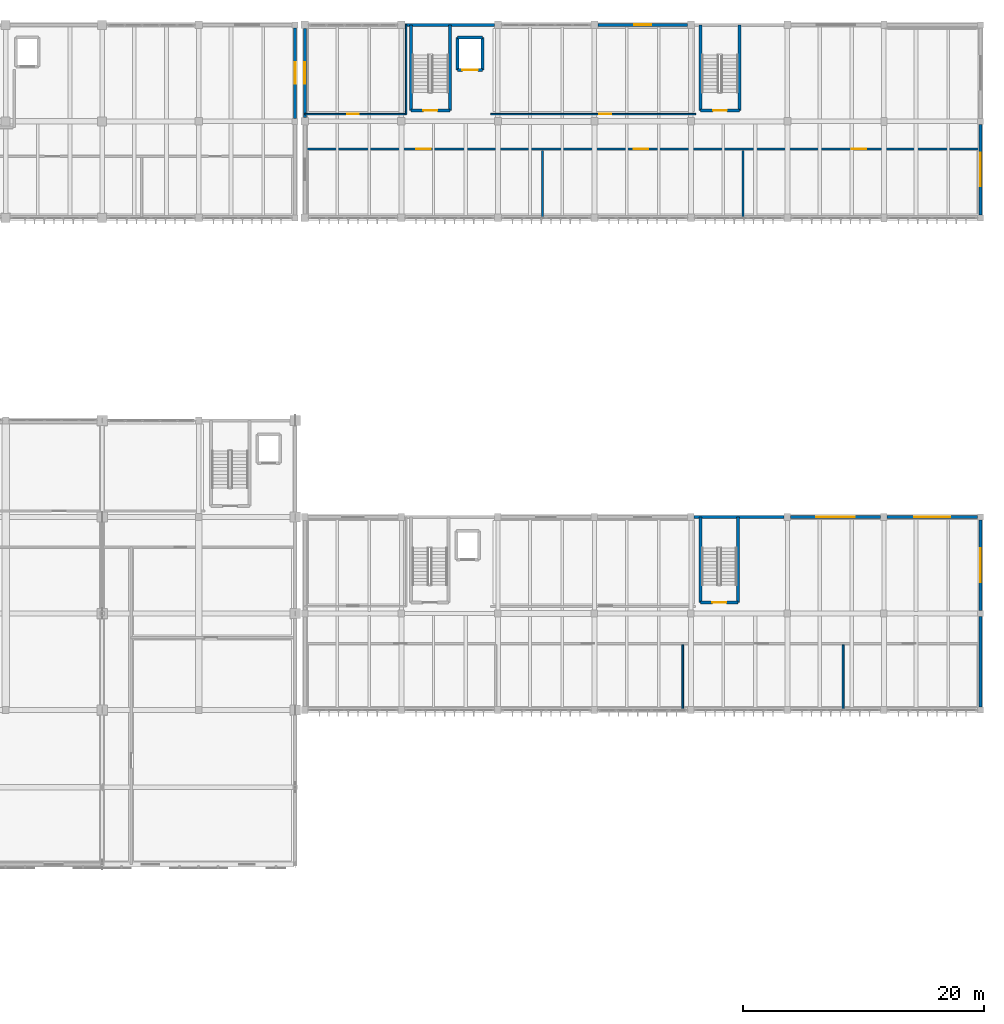
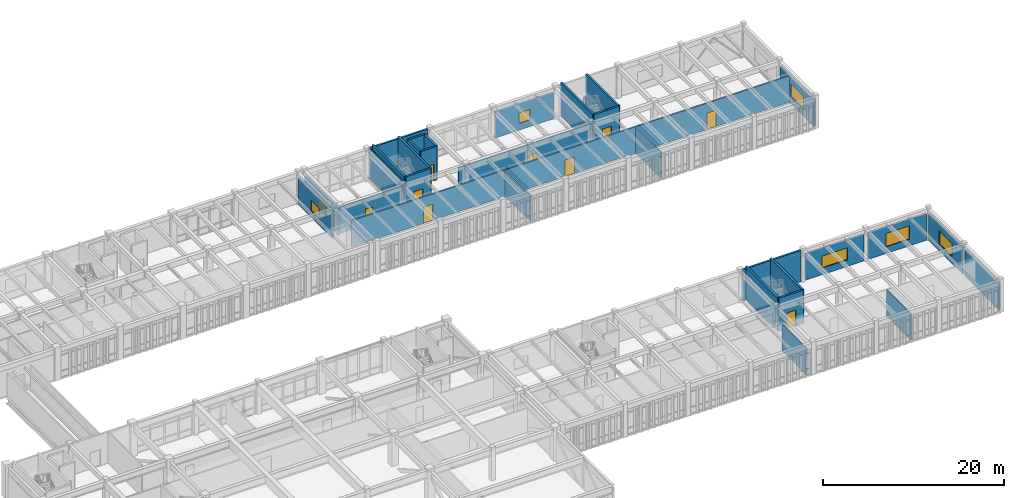
# One storey, part 61 of 79: 31 walls, 9 doors, 7 windows, 16 openings.
"""IFC4 building model written with IfcOpenShell, lengths in metres."""

from ifc_helpers import new_model, si_unit, direction, frame, frame_2d, origin, place, context, subcontext, project, spatial, rectangle, extrude, material, layer, layer_set, type_object, element, fill, save


model = new_model("IFC4")

# Units and contexts
model_context = context("Model", 3, precision=1e-05, world=origin(), true_north=direction((0.0, 1.0)))
body_context = subcontext(model_context, "Body", "Model", "MODEL_VIEW")
ifc_project = project(units=[si_unit("LENGTHUNIT", "METRE"), si_unit("AREAUNIT", "SQUARE_METRE"), si_unit("VOLUMEUNIT", "CUBIC_METRE"), si_unit("PLANEANGLEUNIT", "RADIAN"), si_unit("MASSUNIT", "GRAM", prefix="KILO")], contexts=[model_context])

# Site, building, storey
site_placement = place(None, origin())
site = spatial("IfcSite", under=ifc_project, at=site_placement, CompositionType="ELEMENT")
building_placement = place(site_placement, origin())
building = spatial("IfcBuilding", under=site, at=building_placement, Name="Tlaxcora Railside Police Headquarters", CompositionType="ELEMENT")
storey_placement = place(building_placement, frame((0.0, 0.0, 9.0)))
storey = spatial("IfcBuildingStorey", under=building, at=storey_placement, Name="L02", CompositionType="ELEMENT", Elevation=9.0)

# Walls
ifc_material_1 = material(Name="Gypsum acoustic partition board")
ifc_layer_1 = layer(ifc_material_1, 0.175048828125, Name="Gypsum acoustic partition board")
ifc_layer_set_1 = layer_set([ifc_layer_1], Name="Gypsum acoustic partition board")
wall_type_1 = type_object("IfcWallType", Name="Interior Partition Wall IW-22", PredefinedType="PARTITIONING", material=ifc_layer_set_1)
for number, where, z_axis, x_axis, name in (
    (1, (122.489990234375, 76.8798828125, 0.0), (0.0, 0.0, 1.0), (0.0, 1.0, 0.0), "V6 L02 interior partition 146"),
    (2, (139.110107421875, 76.8798828125, 0.0), (0.0, 0.0, 1.0), (0.0, 1.0, 0.0), "V6 L02 interior partition 147"),
):
    element("IfcWall", number, at=place(storey_placement, frame(where, z_axis=z_axis, x_axis=x_axis)), inside=storey, type_object=wall_type_1, Name=name, PredefinedType="PARTITIONING", context=body_context, shape_type="SweptSolid", body=[
        extrude(rectangle(XDim=5.52001953125, YDim=0.175048828125, at=frame_2d((2.760009765625, 0.0))), origin(), (0.0, 0.0, 1.0), 3.554931640625),
    ])

# Wall, openings, doors
wall_1_placement = place(storey_placement, frame((102.8798828125, 82.5, 0.0), z_axis=(0.0, 0.0, 1.0), x_axis=(1.0, 0.0, 0.0)))
wall_1 = element("IfcWall", 3, at=wall_1_placement, inside=storey, type_object=wall_type_1, Name="V6 L02 interior partition 148", PredefinedType="PARTITIONING", context=body_context, shape_type="SweptSolid", body=[
    extrude(rectangle(XDim=55.840087890625, YDim=0.175048828125, at=frame_2d((27.919921875, 0.0))), origin(), (0.0, 0.0, 1.0), 3.554931640625),
])
opening_1_placement = place(wall_1_placement, frame((9.14990234375, 0.0, 0.0)))
opening_1 = element("IfcOpeningElement", 4, at=opening_1_placement, cuts=wall_1, Name="Opening D-L02-181", PredefinedType="OPENING", context=body_context, shape_type="SweptSolid", body=[
    extrude(rectangle(XDim=1.199951171875, YDim=2.199951171875, at=frame_2d((0.60009765625, 1.10009765625))), frame((0.0, 0.09765625, 0.0), z_axis=(0.0, -1.0, 0.0), x_axis=(1.0, 0.0, 0.0)), (0.0, 0.0, 1.0), 0.195068359375),
])
opening_2_placement = place(wall_1_placement, frame((27.199951171875, 0.0, 0.0)))
opening_2 = element("IfcOpeningElement", 5, at=opening_2_placement, cuts=wall_1, Name="Opening D-L02-182", PredefinedType="OPENING", context=body_context, shape_type="SweptSolid", body=[
    extrude(rectangle(XDim=1.199951171875, YDim=2.199951171875, at=frame_2d((0.60009765625, 1.10009765625))), frame((0.0, 0.09765625, 0.0), z_axis=(0.0, -1.0, 0.0), x_axis=(1.0, 0.0, 0.0)), (0.0, 0.0, 1.0), 0.195068359375),
])
opening_3_placement = place(wall_1_placement, frame((45.239990234375, 0.0, 0.0)))
opening_3 = element("IfcOpeningElement", 6, at=opening_3_placement, cuts=wall_1, Name="Opening D-L02-183", PredefinedType="OPENING", context=body_context, shape_type="SweptSolid", body=[
    extrude(rectangle(XDim=1.199951171875, YDim=2.199951171875, at=frame_2d((0.60009765625, 1.10009765625))), frame((0.0, 0.09765625, 0.0), z_axis=(0.0, -1.0, 0.0), x_axis=(1.0, 0.0, 0.0)), (0.0, 0.0, 1.0), 0.195068359375),
])
ifc_material_2 = material(Name="Steel ASTM A992 Grade 50", Category="steel")
door_type_1 = type_object("IfcDoorType", Name="Swing or Sliding Personnel Door ID-65", OperationType="NOTDEFINED", PredefinedType="DOOR", material=ifc_material_2)
door_1_placement = place(opening_1_placement, origin())
door_1 = element("IfcDoor", 7, at=door_1_placement, inside=storey, type_object=door_type_1, Name="V6 L02 door D-L02-181", OperationType="DOUBLE_DOOR_SINGLE_SWING", OverallHeight=2.199951171875, OverallWidth=1.199951171875, PredefinedType="DOOR", context=body_context, shape_type="SweptSolid", body=[
    extrude(rectangle(XDim=1.199951171875, YDim=2.199951171875, at=frame_2d((0.60009765625, 1.10009765625))), frame((0.0, 0.02490234375, 0.0), z_axis=(0.0, -1.0, 0.0), x_axis=(1.0, 0.0, 0.0)), (0.0, 0.0, 1.0), 0.050048828125),
])
fill(opening_1, door_1)
door_2_placement = place(opening_2_placement, origin())
door_2 = element("IfcDoor", 8, at=door_2_placement, inside=storey, type_object=door_type_1, Name="V6 L02 door D-L02-182", OperationType="DOUBLE_DOOR_SINGLE_SWING", OverallHeight=2.199951171875, OverallWidth=1.199951171875, PredefinedType="DOOR", context=body_context, shape_type="SweptSolid", body=[
    extrude(rectangle(XDim=1.199951171875, YDim=2.199951171875, at=frame_2d((0.60009765625, 1.10009765625))), frame((0.0, 0.02490234375, 0.0), z_axis=(0.0, -1.0, 0.0), x_axis=(1.0, 0.0, 0.0)), (0.0, 0.0, 1.0), 0.050048828125),
])
fill(opening_2, door_2)
door_3_placement = place(opening_3_placement, origin())
door_3 = element("IfcDoor", 9, at=door_3_placement, inside=storey, type_object=door_type_1, Name="V6 L02 door D-L02-183", OperationType="DOUBLE_DOOR_SINGLE_SWING", OverallHeight=2.199951171875, OverallWidth=1.199951171875, PredefinedType="DOOR", context=body_context, shape_type="SweptSolid", body=[
    extrude(rectangle(XDim=1.199951171875, YDim=2.199951171875, at=frame_2d((0.60009765625, 1.10009765625))), frame((0.0, 0.02490234375, 0.0), z_axis=(0.0, -1.0, 0.0), x_axis=(1.0, 0.0, 0.0)), (0.0, 0.0, 1.0), 0.050048828125),
])
fill(opening_3, door_3)

# Wall
ifc_layer_2 = layer(ifc_material_1, 0.1201171875, Name="Gypsum acoustic partition board")
ifc_layer_set_2 = layer_set([ifc_layer_2], Name="Gypsum acoustic partition board")
wall_type_2 = type_object("IfcWallType", Name="Interior Partition Wall IW-37", PredefinedType="PARTITIONING", material=ifc_layer_set_2)
wall_2_placement = place(storey_placement, frame((111.199951171875, 85.39990234375, 0.0), z_axis=(0.0, 0.0, 1.0), x_axis=(0.0, 1.0, 0.0)))
element("IfcWall", 10, at=wall_2_placement, inside=storey, type_object=wall_type_2, Name="V6 L02 interior partition 150", PredefinedType="PARTITIONING", context=body_context, shape_type="SweptSolid", body=[
    extrude(rectangle(XDim=7.400146484375, YDim=0.1201171875, at=frame_2d((3.7001953125, 0.0))), origin(), (0.0, 0.0, 1.0), 4.219970703125),
])

# Wall, opening, door
ifc_layer_3 = layer(ifc_material_1, 0.1298828125, Name="Gypsum acoustic partition board")
ifc_layer_set_3 = layer_set([ifc_layer_3], Name="Gypsum acoustic partition board")
wall_type_3 = type_object("IfcWallType", Name="Interior Partition Wall IW-40", PredefinedType="PARTITIONING", material=ifc_layer_set_3)
wall_3_placement = place(storey_placement, frame((102.800048828125, 85.39990234375, 0.0), z_axis=(0.0, 0.0, 1.0), x_axis=(1.0, 0.0, 0.0)))
wall_3 = element("IfcWall", 11, at=wall_3_placement, inside=storey, type_object=wall_type_3, Name="V6 L02 interior partition 149", PredefinedType="PARTITIONING", context=body_context, shape_type="SweptSolid", body=[
    extrude(rectangle(XDim=8.39990234375, YDim=0.1298828125, at=frame_2d((4.199951171875, 0.0))), origin(), (0.0, 0.0, 1.0), 3.554931640625),
])
opening_4_placement = place(wall_3_placement, frame((3.5, 0.0, 0.0)))
opening_4 = element("IfcOpeningElement", 12, at=opening_4_placement, cuts=wall_3, Name="Opening D-L02-184", PredefinedType="OPENING", context=body_context, shape_type="SweptSolid", body=[
    extrude(rectangle(XDim=0.949951171875, YDim=2.14990234375, at=frame_2d((0.47509765625, 1.074951171875))), frame((0.0, 0.074951171875, 0.0), z_axis=(0.0, -1.0, 0.0), x_axis=(1.0, 0.0, 0.0)), (0.0, 0.0, 1.0), 0.14990234375),
])
door_type_2 = type_object("IfcDoorType", Name="Swing or Sliding Personnel Door ID-31", OperationType="NOTDEFINED", PredefinedType="DOOR", material=ifc_material_2)
door_4_placement = place(opening_4_placement, origin())
door_4 = element("IfcDoor", 13, at=door_4_placement, inside=storey, type_object=door_type_2, Name="V6 L02 door D-L02-184", OperationType="SINGLE_SWING_LEFT", OverallHeight=2.14990234375, OverallWidth=0.949951171875, PredefinedType="DOOR", context=body_context, shape_type="SweptSolid", body=[
    extrude(rectangle(XDim=0.949951171875, YDim=2.14990234375, at=frame_2d((0.47509765625, 1.074951171875))), frame((0.0, 0.02490234375, 0.0), z_axis=(0.0, -1.0, 0.0), x_axis=(1.0, 0.0, 0.0)), (0.0, 0.0, 1.0), 0.050048828125),
])
fill(opening_4, door_4)

# Walls
ifc_layer_4 = layer(ifc_material_1, 0.159912109375, Name="Gypsum acoustic partition board")
ifc_layer_set_4 = layer_set([ifc_layer_4], Name="Gypsum acoustic partition board")
wall_type_4 = type_object("IfcWallType", Name="Interior Partition Wall IW-73", PredefinedType="PARTITIONING", material=ifc_layer_set_4)
for number, where, z_axis, x_axis, name in (
    (14, (134.1240234375, 36.080078125, 0.0), (0.0, 0.0, 1.0), (0.0, 1.0, 0.0), "V7 L02 interior partition 140"),
    (15, (147.419921875, 36.080078125, 0.0), (0.0, 0.0, 1.0), (0.0, 1.0, 0.0), "V7 L02 interior partition 141"),
):
    element("IfcWall", number, at=place(storey_placement, frame(where, z_axis=z_axis, x_axis=x_axis)), inside=storey, type_object=wall_type_4, Name=name, PredefinedType="PARTITIONING", context=body_context, shape_type="SweptSolid", body=[
        extrude(rectangle(XDim=5.31982421875, YDim=0.159912109375, at=frame_2d((2.659912109375, 0.0))), origin(), (0.0, 0.0, 1.0), 3.554931640625),
    ])

# Wall, opening, door
ifc_layer_5 = layer(ifc_material_1, 0.114990234375, Name="Gypsum acoustic partition board")
ifc_layer_set_5 = layer_set([ifc_layer_5], Name="Gypsum acoustic partition board")
wall_type_5 = type_object("IfcWallType", Name="Interior Partition Wall IW-87", PredefinedType="PARTITIONING", material=ifc_layer_set_5)
wall_4_placement = place(storey_placement, frame((118.199951171875, 85.39990234375, 0.0), z_axis=(0.0, 0.0, 1.0), x_axis=(1.0, 0.0, 0.0)))
wall_4 = element("IfcWall", 16, at=wall_4_placement, inside=storey, type_object=wall_type_5, Name="V6 L02 interior partition 151", PredefinedType="PARTITIONING", context=body_context, shape_type="SweptSolid", body=[
    extrude(rectangle(XDim=17.0, YDim=0.114990234375, at=frame_2d((8.5, 0.0))), origin(), (0.0, 0.0, 1.0), 3.60498046875),
])
opening_5_placement = place(wall_4_placement, frame((9.0, 0.0, 0.0)))
opening_5 = element("IfcOpeningElement", 17, at=opening_5_placement, cuts=wall_4, Name="Opening D-L02-185", PredefinedType="OPENING", context=body_context, shape_type="SweptSolid", body=[
    extrude(rectangle(XDim=1.0, YDim=2.10009765625, at=frame_2d((0.5, 1.050048828125))), frame((0.0, 0.0673828125, 0.0), z_axis=(0.0, -1.0, 0.0), x_axis=(1.0, 0.0, 0.0)), (0.0, 0.0, 1.0), 0.135009765625),
])
door_type_3 = type_object("IfcDoorType", Name="Swing or Sliding Personnel Door ID-89", OperationType="NOTDEFINED", PredefinedType="DOOR", material=ifc_material_2)
door_5_placement = place(opening_5_placement, origin())
door_5 = element("IfcDoor", 18, at=door_5_placement, inside=storey, type_object=door_type_3, Name="V6 L02 door D-L02-185", OperationType="SINGLE_SWING_RIGHT", OverallHeight=2.10009765625, OverallWidth=1.0, PredefinedType="DOOR", context=body_context, shape_type="SweptSolid", body=[
    extrude(rectangle(XDim=1.0, YDim=2.10009765625, at=frame_2d((0.5, 1.050048828125))), frame((0.0, 0.02490234375, 0.0), z_axis=(0.0, -1.0, 0.0), x_axis=(1.0, 0.0, 0.0)), (0.0, 0.0, 1.0), 0.050048828125),
])
fill(opening_5, door_5)

ifc_material_3 = material(Name="Concrete C40/50", Category="concrete")
ifc_layer_6 = layer(ifc_material_3, 0.25, Name="Concrete C40/50")
ifc_layer_set_6 = layer_set([ifc_layer_6], Name="Concrete C40/50")
wall_type_6 = type_object("IfcWallType", Name="Shear Core Wall IW-13", PredefinedType="SHEAR", material=ifc_layer_set_6)
wall_5_placement = place(storey_placement, frame((111.60009765625, 85.699951171875, 0.0), z_axis=(0.0, 0.0, 1.0), x_axis=(1.0, 0.0, 0.0)))
wall_5 = element("IfcWall", 19, at=wall_5_placement, inside=storey, type_object=wall_type_6, Name="CORE-C3 L02 stair core wall S", PredefinedType="SHEAR", context=body_context, shape_type="SweptSolid", body=[
    extrude(rectangle(XDim=3.219970703125, YDim=0.25, at=frame_2d((1.60986328125, 0.0))), origin(), (0.0, 0.0, 1.0), 4.5),
])
opening_6_placement = place(wall_5_placement, frame((1.034912109375, 0.0, 0.0)))
opening_6 = element("IfcOpeningElement", 20, at=opening_6_placement, cuts=wall_5, Name="Opening SD-L02-022", PredefinedType="OPENING", context=body_context, shape_type="SweptSolid", body=[
    extrude(rectangle(XDim=1.14990234375, YDim=2.14990234375, at=frame_2d((0.574951171875, 1.074951171875))), frame((0.0, 0.135009765625, 0.0), z_axis=(0.0, -1.0, 0.0), x_axis=(1.0, 0.0, 0.0)), (0.0, 0.0, 1.0), 0.27001953125),
])
door_type_4 = type_object("IfcDoorType", Name="Swing or Sliding Personnel Door ID-73", OperationType="NOTDEFINED", PredefinedType="DOOR", material=ifc_material_2)
door_6_placement = place(opening_6_placement, origin())
door_6 = element("IfcDoor", 21, at=door_6_placement, inside=storey, type_object=door_type_4, Name="Stair ST3 L02 enclosure fire door", OperationType="SINGLE_SWING_RIGHT", OverallHeight=2.14990234375, OverallWidth=1.14990234375, PredefinedType="DOOR", context=body_context, shape_type="SweptSolid", body=[
    extrude(rectangle(XDim=1.14990234375, YDim=2.14990234375, at=frame_2d((0.574951171875, 1.074951171875))), frame((0.0, 0.02490234375, 0.0), z_axis=(0.0, -1.0, 0.0), x_axis=(1.0, 0.0, 0.0)), (0.0, 0.0, 1.0), 0.050048828125),
])
fill(opening_6, door_6)

# Walls
for number, where, z_axis, x_axis, name in (
    (22, (114.820068359375, 85.699951171875, 0.0), (0.0, 0.0, 1.0), (0.0, 1.0, 0.0), "CORE-C3 L02 stair core wall E"),
    (23, (111.60009765625, 92.800048828125, 0.0), (0.0, 0.0, 1.0), (0.0, -1.0, 0.0), "CORE-C3 L02 stair core wall W"),
):
    element("IfcWall", number, at=place(storey_placement, frame(where, z_axis=z_axis, x_axis=x_axis)), inside=storey, type_object=wall_type_6, Name=name, PredefinedType="SHEAR", context=body_context, shape_type="SweptSolid", body=[
        extrude(rectangle(XDim=7.10009765625, YDim=0.25, at=frame_2d((3.550048828125, 0.0))), origin(), (0.0, 0.0, 1.0), 4.5),
    ])

# Wall, opening, door
wall_6_placement = place(storey_placement, frame((115.4599609375, 89.06005859375, 0.0), z_axis=(0.0, 0.0, 1.0), x_axis=(1.0, 0.0, 0.0)))
wall_6 = element("IfcWall", 24, at=wall_6_placement, inside=storey, type_object=wall_type_6, Name="Lift GL-01 L02 shaft wall S", PredefinedType="SHEAR", context=body_context, shape_type="SweptSolid", body=[
    extrude(rectangle(XDim=2.080078125, YDim=0.25, at=frame_2d((1.0400390625, 0.0))), origin(), (0.0, 0.0, 1.0), 4.5),
])
opening_7_placement = place(wall_6_placement, frame((0.389892578125, 0.0, 0.0)))
opening_7 = element("IfcOpeningElement", 25, at=opening_7_placement, cuts=wall_6, Name="Opening LD-GL-01-L02", PredefinedType="OPENING", context=body_context, shape_type="SweptSolid", body=[
    extrude(rectangle(XDim=1.300048828125, YDim=2.25, at=frame_2d((0.64990234375, 1.125))), frame((0.0, 0.135009765625, 0.0), z_axis=(0.0, -1.0, 0.0), x_axis=(1.0, 0.0, 0.0)), (0.0, 0.0, 1.0), 0.27001953125),
])
door_type_5 = type_object("IfcDoorType", Name="Swing or Sliding Personnel Door ID-72", OperationType="NOTDEFINED", PredefinedType="DOOR", material=ifc_material_2)
door_7_placement = place(opening_7_placement, origin())
door_7 = element("IfcDoor", 26, at=door_7_placement, inside=storey, type_object=door_type_5, Name="Lift GL-01 L02 sliding landing door", OperationType="DOUBLE_DOOR_SLIDING", OverallHeight=2.25, OverallWidth=1.300048828125, PredefinedType="DOOR", context=body_context, shape_type="SweptSolid", body=[
    extrude(rectangle(XDim=1.300048828125, YDim=2.25, at=frame_2d((0.64990234375, 1.125))), frame((0.0, 0.02490234375, 0.0), z_axis=(0.0, -1.0, 0.0), x_axis=(1.0, 0.0, 0.0)), (0.0, 0.0, 1.0), 0.050048828125),
])
fill(opening_7, door_7)

# Walls
wall_7_placement = place(storey_placement, frame((117.5400390625, 89.06005859375, 0.0), z_axis=(0.0, 0.0, 1.0), x_axis=(0.0, 1.0, 0.0)))
element("IfcWall", 27, at=wall_7_placement, inside=storey, type_object=wall_type_6, Name="Lift GL-01 L02 shaft wall E", PredefinedType="SHEAR", context=body_context, shape_type="SweptSolid", body=[
    extrude(rectangle(XDim=2.679931640625, YDim=0.25, at=frame_2d((1.33984375, 0.0))), origin(), (0.0, 0.0, 1.0), 4.5),
])
wall_8_placement = place(storey_placement, frame((117.5400390625, 91.739990234375, 0.0), z_axis=(0.0, 0.0, 1.0), x_axis=(-1.0, 0.0, 0.0)))
element("IfcWall", 28, at=wall_8_placement, inside=storey, type_object=wall_type_6, Name="Lift GL-01 L02 shaft wall N", PredefinedType="SHEAR", context=body_context, shape_type="SweptSolid", body=[
    extrude(rectangle(XDim=2.080078125, YDim=0.25, at=frame_2d((1.0400390625, 0.0))), origin(), (0.0, 0.0, 1.0), 4.5),
])
wall_9_placement = place(storey_placement, frame((115.4599609375, 91.739990234375, 0.0), z_axis=(0.0, 0.0, 1.0), x_axis=(0.0, -1.0, 0.0)))
element("IfcWall", 29, at=wall_9_placement, inside=storey, type_object=wall_type_6, Name="Lift GL-01 L02 shaft wall W", PredefinedType="SHEAR", context=body_context, shape_type="SweptSolid", body=[
    extrude(rectangle(XDim=2.679931640625, YDim=0.25, at=frame_2d((1.33984375, 0.0))), origin(), (0.0, 0.0, 1.0), 4.5),
])

# Wall, opening, door
wall_10_placement = place(storey_placement, frame((135.60009765625, 85.699951171875, 0.0), z_axis=(0.0, 0.0, 1.0), x_axis=(1.0, 0.0, 0.0)))
wall_10 = element("IfcWall", 30, at=wall_10_placement, inside=storey, type_object=wall_type_6, Name="CORE-C3B L02 stair core wall S", PredefinedType="SHEAR", context=body_context, shape_type="SweptSolid", body=[
    extrude(rectangle(XDim=3.219970703125, YDim=0.25, at=frame_2d((1.60986328125, 0.0))), origin(), (0.0, 0.0, 1.0), 4.5),
])
opening_8_placement = place(wall_10_placement, frame((1.034912109375, 0.0, 0.0)))
opening_8 = element("IfcOpeningElement", 31, at=opening_8_placement, cuts=wall_10, Name="Opening SD-L02-028", PredefinedType="OPENING", context=body_context, shape_type="SweptSolid", body=[
    extrude(rectangle(XDim=1.14990234375, YDim=2.14990234375, at=frame_2d((0.574951171875, 1.074951171875))), frame((0.0, 0.135009765625, 0.0), z_axis=(0.0, -1.0, 0.0), x_axis=(1.0, 0.0, 0.0)), (0.0, 0.0, 1.0), 0.27001953125),
])
door_8_placement = place(opening_8_placement, origin())
door_8 = element("IfcDoor", 32, at=door_8_placement, inside=storey, type_object=door_type_4, Name="Stair ST8 L02 enclosure fire door", OperationType="SINGLE_SWING_RIGHT", OverallHeight=2.14990234375, OverallWidth=1.14990234375, PredefinedType="DOOR", context=body_context, shape_type="SweptSolid", body=[
    extrude(rectangle(XDim=1.14990234375, YDim=2.14990234375, at=frame_2d((0.574951171875, 1.074951171875))), frame((0.0, 0.02490234375, 0.0), z_axis=(0.0, -1.0, 0.0), x_axis=(1.0, 0.0, 0.0)), (0.0, 0.0, 1.0), 0.050048828125),
])
fill(opening_8, door_8)

# Walls
for number, where, z_axis, x_axis, name in (
    (33, (138.820068359375, 85.699951171875, 0.0), (0.0, 0.0, 1.0), (0.0, 1.0, 0.0), "CORE-C3B L02 stair core wall E"),
    (34, (135.60009765625, 92.800048828125, 0.0), (0.0, 0.0, 1.0), (0.0, -1.0, 0.0), "CORE-C3B L02 stair core wall W"),
):
    element("IfcWall", number, at=place(storey_placement, frame(where, z_axis=z_axis, x_axis=x_axis)), inside=storey, type_object=wall_type_6, Name=name, PredefinedType="SHEAR", context=body_context, shape_type="SweptSolid", body=[
        extrude(rectangle(XDim=7.10009765625, YDim=0.25, at=frame_2d((3.550048828125, 0.0))), origin(), (0.0, 0.0, 1.0), 4.5),
    ])

# Wall, opening, door
wall_11_placement = place(storey_placement, frame((135.60009765625, 44.89990234375, 0.0), z_axis=(0.0, 0.0, 1.0), x_axis=(1.0, 0.0, 0.0)))
wall_11 = element("IfcWall", 35, at=wall_11_placement, inside=storey, type_object=wall_type_6, Name="CORE-C7B L02 stair core wall S", PredefinedType="SHEAR", context=body_context, shape_type="SweptSolid", body=[
    extrude(rectangle(XDim=3.119873046875, YDim=0.25, at=frame_2d((1.56005859375, 0.0))), origin(), (0.0, 0.0, 1.0), 4.5),
])
opening_9_placement = place(wall_11_placement, frame((0.985107421875, 0.0, 0.0)))
opening_9 = element("IfcOpeningElement", 36, at=opening_9_placement, cuts=wall_11, Name="Opening SD-L02-053", PredefinedType="OPENING", context=body_context, shape_type="SweptSolid", body=[
    extrude(rectangle(XDim=1.14990234375, YDim=2.14990234375, at=frame_2d((0.574951171875, 1.074951171875))), frame((0.0, 0.135009765625, 0.0), z_axis=(0.0, -1.0, 0.0), x_axis=(1.0, 0.0, 0.0)), (0.0, 0.0, 1.0), 0.27001953125),
])
door_9_placement = place(opening_9_placement, origin())
door_9 = element("IfcDoor", 37, at=door_9_placement, inside=storey, type_object=door_type_4, Name="Stair ST11 L02 enclosure fire door", OperationType="SINGLE_SWING_LEFT", OverallHeight=2.14990234375, OverallWidth=1.14990234375, PredefinedType="DOOR", context=body_context, shape_type="SweptSolid", body=[
    extrude(rectangle(XDim=1.14990234375, YDim=2.14990234375, at=frame_2d((0.574951171875, 1.074951171875))), frame((0.0, 0.02490234375, 0.0), z_axis=(0.0, -1.0, 0.0), x_axis=(1.0, 0.0, 0.0)), (0.0, 0.0, 1.0), 0.050048828125),
])
fill(opening_9, door_9)

# Walls
for number, where, z_axis, x_axis, name in (
    (38, (138.719970703125, 44.89990234375, 0.0), (0.0, 0.0, 1.0), (0.0, 1.0, 0.0), "CORE-C7B L02 stair core wall E"),
    (39, (135.60009765625, 52.0, 0.0), (0.0, 0.0, 1.0), (0.0, -1.0, 0.0), "CORE-C7B L02 stair core wall W"),
):
    element("IfcWall", number, at=place(storey_placement, frame(where, z_axis=z_axis, x_axis=x_axis)), inside=storey, type_object=wall_type_6, Name=name, PredefinedType="SHEAR", context=body_context, shape_type="SweptSolid", body=[
        extrude(rectangle(XDim=7.10009765625, YDim=0.25, at=frame_2d((3.550048828125, 0.0))), origin(), (0.0, 0.0, 1.0), 4.5),
    ])

# Wall, opening, window
ifc_material_4 = material(Name="Precast concrete C40/50", Category="concrete")
ifc_layer_7 = layer(ifc_material_4, 0.2451171875, Name="Precast concrete C40/50")
ifc_layer_set_7 = layer_set([ifc_layer_7], Name="Precast concrete C40/50")
wall_type_7 = type_object("IfcWallType", Name="Structural Bearing Wall EW-94", PredefinedType="SOLIDWALL", material=ifc_layer_set_7)
wall_12_placement = place(storey_placement, frame((102.0, 85.050048828125, 0.0), z_axis=(0.0, 0.0, 1.0), x_axis=(0.0, 1.0, 0.0)))
wall_12 = element("IfcWall", 40, at=wall_12_placement, inside=storey, type_object=wall_type_7, Name="V5 L02 exterior wall 3.1", PredefinedType="SOLIDWALL", context=body_context, shape_type="SweptSolid", body=[
    extrude(rectangle(XDim=7.5, YDim=0.2451171875, at=frame_2d((3.75, 0.0))), origin(), (0.0, 0.0, 1.0), 3.570068359375),
])
opening_10_placement = place(wall_12_placement, frame((2.85009765625, 0.0, 0.89990234375)))
opening_10 = element("IfcOpeningElement", 41, at=opening_10_placement, cuts=wall_12, Name="Opening WN-70", PredefinedType="OPENING", context=body_context, shape_type="SweptSolid", body=[
    extrude(rectangle(XDim=1.800048828125, YDim=1.39990234375, at=frame_2d((0.89990234375, 0.699951171875))), frame((0.0, 0.132568359375, 0.0), z_axis=(0.0, -1.0, 0.0), x_axis=(1.0, 0.0, 0.0)), (0.0, 0.0, 1.0), 0.26513671875),
])
ifc_material_5 = material(Name="Thermally broken low-E insulated glazing", Category="glass")
window_type_1 = type_object("IfcWindowType", Name="Exterior Framed or Circular Window WN-70", PartitioningType="SINGLE_PANEL", PredefinedType="WINDOW", material=ifc_material_5)
window_1_placement = place(opening_10_placement, origin())
window_1 = element("IfcWindow", 42, at=window_1_placement, inside=storey, type_object=window_type_1, Name="V5 L02 window 127", OverallHeight=1.39990234375, OverallWidth=1.800048828125, PartitioningType="SINGLE_PANEL", PredefinedType="WINDOW", context=body_context, shape_type="SweptSolid", body=[
    extrude(rectangle(XDim=1.800048828125, YDim=1.39990234375, at=frame_2d((0.89990234375, 0.699951171875))), frame((0.0, 0.030029296875, 0.0), z_axis=(0.0, -1.0, 0.0), x_axis=(1.0, 0.0, 0.0)), (0.0, 0.0, 1.0), 0.06005859375),
])
fill(opening_10, window_1)

wall_13_placement = place(storey_placement, frame((158.800048828125, 77.050048828125, 0.0), z_axis=(0.0, 0.0, 1.0), x_axis=(0.0, 1.0, 0.0)))
wall_13 = element("IfcWall", 43, at=wall_13_placement, inside=storey, type_object=wall_type_7, Name="V6 L02 exterior wall 1.0", PredefinedType="SOLIDWALL", context=body_context, shape_type="SweptSolid", body=[
    extrude(rectangle(XDim=7.5, YDim=0.2451171875, at=frame_2d((3.75, 0.0))), origin(), (0.0, 0.0, 1.0), 3.570068359375),
])
opening_11_placement = place(wall_13_placement, frame((2.35009765625, 0.0, 0.89990234375)))
opening_11 = element("IfcOpeningElement", 44, at=opening_11_placement, cuts=wall_13, Name="Opening WN-44", PredefinedType="OPENING", context=body_context, shape_type="SweptSolid", body=[
    extrude(rectangle(XDim=2.800048828125, YDim=1.800048828125, at=frame_2d((1.39990234375, 0.89990234375))), frame((0.0, 0.132568359375, 0.0), z_axis=(0.0, -1.0, 0.0), x_axis=(1.0, 0.0, 0.0)), (0.0, 0.0, 1.0), 0.26513671875),
])
window_type_2 = type_object("IfcWindowType", Name="Exterior Framed or Circular Window WN-44", PartitioningType="SINGLE_PANEL", PredefinedType="WINDOW", material=ifc_material_5)
window_2_placement = place(opening_11_placement, origin())
window_2 = element("IfcWindow", 45, at=window_2_placement, inside=storey, type_object=window_type_2, Name="V6 L02 window 174", OverallHeight=1.800048828125, OverallWidth=2.800048828125, PartitioningType="SINGLE_PANEL", PredefinedType="WINDOW", context=body_context, shape_type="SweptSolid", body=[
    extrude(rectangle(XDim=2.800048828125, YDim=1.800048828125, at=frame_2d((1.39990234375, 0.89990234375))), frame((0.0, 0.030029296875, 0.0), z_axis=(0.0, -1.0, 0.0), x_axis=(1.0, 0.0, 0.0)), (0.0, 0.0, 1.0), 0.06005859375),
])
fill(opening_11, window_2)

wall_14_placement = place(storey_placement, frame((134.5, 92.800048828125, 0.0), z_axis=(0.0, 0.0, 1.0), x_axis=(-1.0, 0.0, 0.0)))
wall_14 = element("IfcWall", 46, at=wall_14_placement, inside=storey, type_object=wall_type_7, Name="V6 L02 exterior wall 2.3", PredefinedType="SOLIDWALL", context=body_context, shape_type="SweptSolid", body=[
    extrude(rectangle(XDim=7.39990234375, YDim=0.2451171875, at=frame_2d((3.699951171875, 0.0))), origin(), (0.0, 0.0, 1.0), 3.570068359375),
])
opening_12_placement = place(wall_14_placement, frame((3.0, 0.0, 0.89990234375)))
opening_12 = element("IfcOpeningElement", 47, at=opening_12_placement, cuts=wall_14, Name="Opening WN-22", PredefinedType="OPENING", context=body_context, shape_type="SweptSolid", body=[
    extrude(rectangle(XDim=1.39990234375, YDim=1.39990234375, at=frame_2d((0.699951171875, 0.699951171875))), frame((0.0, 0.132568359375, 0.0), z_axis=(0.0, -1.0, 0.0), x_axis=(1.0, 0.0, 0.0)), (0.0, 0.0, 1.0), 0.26513671875),
])
window_type_3 = type_object("IfcWindowType", Name="Exterior Framed or Circular Window WN-22", PartitioningType="SINGLE_PANEL", PredefinedType="WINDOW", material=ifc_material_5)
window_3_placement = place(opening_12_placement, origin())
window_3 = element("IfcWindow", 48, at=window_3_placement, inside=storey, type_object=window_type_3, Name="V6 L02 window 177", OverallHeight=1.39990234375, OverallWidth=1.39990234375, PartitioningType="SINGLE_PANEL", PredefinedType="WINDOW", context=body_context, shape_type="SweptSolid", body=[
    extrude(rectangle(XDim=1.39990234375, YDim=1.39990234375, at=frame_2d((0.699951171875, 0.699951171875))), frame((0.0, 0.030029296875, 0.0), z_axis=(0.0, -1.0, 0.0), x_axis=(1.0, 0.0, 0.0)), (0.0, 0.0, 1.0), 0.06005859375),
])
fill(opening_12, window_3)

# Wall
wall_15_placement = place(storey_placement, frame((118.5, 92.800048828125, 0.0), z_axis=(0.0, 0.0, 1.0), x_axis=(-1.0, 0.0, 0.0)))
element("IfcWall", 49, at=wall_15_placement, inside=storey, type_object=wall_type_7, Name="V6 L02 exterior wall 2.5", PredefinedType="SOLIDWALL", context=body_context, shape_type="SweptSolid", body=[
    extrude(rectangle(XDim=7.39990234375, YDim=0.2451171875, at=frame_2d((3.699951171875, 0.0))), origin(), (0.0, 0.0, 1.0), 4.219970703125),
])

# Wall, opening, window
wall_16_placement = place(storey_placement, frame((102.800048828125, 92.5, 0.0), z_axis=(0.0, 0.0, 1.0), x_axis=(0.0, -1.0, 0.0)))
wall_16 = element("IfcWall", 50, at=wall_16_placement, inside=storey, type_object=wall_type_7, Name="V6 L02 exterior wall 3.0", PredefinedType="SOLIDWALL", context=body_context, shape_type="SweptSolid", body=[
    extrude(rectangle(XDim=7.39990234375, YDim=0.2451171875, at=frame_2d((3.699951171875, 0.0))), origin(), (0.0, 0.0, 1.0), 3.570068359375),
])
opening_13_placement = place(wall_16_placement, frame((2.800048828125, 0.0, 0.89990234375)))
opening_13 = element("IfcOpeningElement", 51, at=opening_13_placement, cuts=wall_16, Name="Opening WN-70", PredefinedType="OPENING", context=body_context, shape_type="SweptSolid", body=[
    extrude(rectangle(XDim=1.800048828125, YDim=1.39990234375, at=frame_2d((0.89990234375, 0.699951171875))), frame((0.0, 0.132568359375, 0.0), z_axis=(0.0, -1.0, 0.0), x_axis=(1.0, 0.0, 0.0)), (0.0, 0.0, 1.0), 0.26513671875),
])
window_4_placement = place(opening_13_placement, origin())
window_4 = element("IfcWindow", 52, at=window_4_placement, inside=storey, type_object=window_type_1, Name="V6 L02 window 178", OverallHeight=1.39990234375, OverallWidth=1.800048828125, PartitioningType="SINGLE_PANEL", PredefinedType="WINDOW", context=body_context, shape_type="SweptSolid", body=[
    extrude(rectangle(XDim=1.800048828125, YDim=1.39990234375, at=frame_2d((0.89990234375, 0.699951171875))), frame((0.0, 0.030029296875, 0.0), z_axis=(0.0, -1.0, 0.0), x_axis=(1.0, 0.0, 0.0)), (0.0, 0.0, 1.0), 0.06005859375),
])
fill(opening_13, window_4)

# Wall
wall_17_placement = place(storey_placement, frame((158.800048828125, 36.25, 0.0), z_axis=(0.0, 0.0, 1.0), x_axis=(0.0, 1.0, 0.0)))
element("IfcWall", 53, at=wall_17_placement, inside=storey, type_object=wall_type_7, Name="V7 L02 exterior wall 1.0", PredefinedType="SOLIDWALL", context=body_context, shape_type="SweptSolid", body=[
    extrude(rectangle(XDim=7.5, YDim=0.2451171875, at=frame_2d((3.75, 0.0))), origin(), (0.0, 0.0, 1.0), 3.570068359375),
])

# Wall, opening, window
wall_18_placement = place(storey_placement, frame((158.800048828125, 44.25, 0.0), z_axis=(0.0, 0.0, 1.0), x_axis=(0.0, 1.0, 0.0)))
wall_18 = element("IfcWall", 54, at=wall_18_placement, inside=storey, type_object=wall_type_7, Name="V7 L02 exterior wall 1.1", PredefinedType="SOLIDWALL", context=body_context, shape_type="SweptSolid", body=[
    extrude(rectangle(XDim=7.5, YDim=0.2451171875, at=frame_2d((3.75, 0.0))), origin(), (0.0, 0.0, 1.0), 3.570068359375),
])
opening_14_placement = place(wall_18_placement, frame((2.35009765625, 0.0, 0.89990234375)))
opening_14 = element("IfcOpeningElement", 55, at=opening_14_placement, cuts=wall_18, Name="Opening WN-44", PredefinedType="OPENING", context=body_context, shape_type="SweptSolid", body=[
    extrude(rectangle(XDim=2.800048828125, YDim=1.800048828125, at=frame_2d((1.39990234375, 0.89990234375))), frame((0.0, 0.132568359375, 0.0), z_axis=(0.0, -1.0, 0.0), x_axis=(1.0, 0.0, 0.0)), (0.0, 0.0, 1.0), 0.26513671875),
])
window_5_placement = place(opening_14_placement, origin())
window_5 = element("IfcWindow", 56, at=window_5_placement, inside=storey, type_object=window_type_2, Name="V7 L02 window 207", OverallHeight=1.800048828125, OverallWidth=2.800048828125, PartitioningType="SINGLE_PANEL", PredefinedType="WINDOW", context=body_context, shape_type="SweptSolid", body=[
    extrude(rectangle(XDim=2.800048828125, YDim=1.800048828125, at=frame_2d((1.39990234375, 0.89990234375))), frame((0.0, 0.030029296875, 0.0), z_axis=(0.0, -1.0, 0.0), x_axis=(1.0, 0.0, 0.0)), (0.0, 0.0, 1.0), 0.06005859375),
])
fill(opening_14, window_5)

wall_19_placement = place(storey_placement, frame((158.550048828125, 52.0, 0.0), z_axis=(0.0, 0.0, 1.0), x_axis=(-1.0, 0.0, 0.0)))
wall_19 = element("IfcWall", 57, at=wall_19_placement, inside=storey, type_object=wall_type_7, Name="V7 L02 exterior wall 2.0", PredefinedType="SOLIDWALL", context=body_context, shape_type="SweptSolid", body=[
    extrude(rectangle(XDim=7.47509765625, YDim=0.2451171875, at=frame_2d((3.737548828125, 0.0))), origin(), (0.0, 0.0, 1.0), 3.570068359375),
])
opening_15_placement = place(wall_19_placement, frame((2.237548828125, 0.0, 0.89990234375)))
opening_15 = element("IfcOpeningElement", 58, at=opening_15_placement, cuts=wall_19, Name="Opening WN-93", PredefinedType="OPENING", context=body_context, shape_type="SweptSolid", body=[
    extrude(rectangle(XDim=3.0, YDim=1.800048828125, at=frame_2d((1.5, 0.89990234375))), frame((0.0, 0.132568359375, 0.0), z_axis=(0.0, -1.0, 0.0), x_axis=(1.0, 0.0, 0.0)), (0.0, 0.0, 1.0), 0.26513671875),
])
window_type_4 = type_object("IfcWindowType", Name="Exterior Framed or Circular Window WN-93", PartitioningType="SINGLE_PANEL", PredefinedType="WINDOW", material=ifc_material_5)
window_6_placement = place(opening_15_placement, origin())
window_6 = element("IfcWindow", 59, at=window_6_placement, inside=storey, type_object=window_type_4, Name="V7 L02 window 208", OverallHeight=1.800048828125, OverallWidth=3.0, PartitioningType="SINGLE_PANEL", PredefinedType="WINDOW", context=body_context, shape_type="SweptSolid", body=[
    extrude(rectangle(XDim=3.0, YDim=1.800048828125, at=frame_2d((1.5, 0.89990234375))), frame((0.0, 0.030029296875, 0.0), z_axis=(0.0, -1.0, 0.0), x_axis=(1.0, 0.0, 0.0)), (0.0, 0.0, 1.0), 0.06005859375),
])
fill(opening_15, window_6)

wall_20_placement = place(storey_placement, frame((150.52490234375, 52.0, 0.0), z_axis=(0.0, 0.0, 1.0), x_axis=(-1.0, 0.0, 0.0)))
wall_20 = element("IfcWall", 60, at=wall_20_placement, inside=storey, type_object=wall_type_7, Name="V7 L02 exterior wall 2.1", PredefinedType="SOLIDWALL", context=body_context, shape_type="SweptSolid", body=[
    extrude(rectangle(XDim=7.449951171875, YDim=0.2451171875, at=frame_2d((3.72509765625, 0.0))), origin(), (0.0, 0.0, 1.0), 3.570068359375),
])
opening_16_placement = place(wall_20_placement, frame((2.125, 0.0, 0.89990234375)))
opening_16 = element("IfcOpeningElement", 61, at=opening_16_placement, cuts=wall_20, Name="Opening WN-47", PredefinedType="OPENING", context=body_context, shape_type="SweptSolid", body=[
    extrude(rectangle(XDim=3.199951171875, YDim=1.60009765625, at=frame_2d((1.60009765625, 0.800048828125))), frame((0.0, 0.132568359375, 0.0), z_axis=(0.0, -1.0, 0.0), x_axis=(1.0, 0.0, 0.0)), (0.0, 0.0, 1.0), 0.26513671875),
])
window_type_5 = type_object("IfcWindowType", Name="Exterior Framed or Circular Window WN-47", PartitioningType="SINGLE_PANEL", PredefinedType="WINDOW", material=ifc_material_5)
window_7_placement = place(opening_16_placement, origin())
window_7 = element("IfcWindow", 62, at=window_7_placement, inside=storey, type_object=window_type_5, Name="V7 L02 window 209", OverallHeight=1.60009765625, OverallWidth=3.199951171875, PartitioningType="SINGLE_PANEL", PredefinedType="WINDOW", context=body_context, shape_type="SweptSolid", body=[
    extrude(rectangle(XDim=3.199951171875, YDim=1.60009765625, at=frame_2d((1.60009765625, 0.800048828125))), frame((0.0, 0.030029296875, 0.0), z_axis=(0.0, -1.0, 0.0), x_axis=(1.0, 0.0, 0.0)), (0.0, 0.0, 1.0), 0.06005859375),
])
fill(opening_16, window_7)

# Wall
wall_21_placement = place(storey_placement, frame((142.52490234375, 52.0, 0.0), z_axis=(0.0, 0.0, 1.0), x_axis=(-1.0, 0.0, 0.0)))
element("IfcWall", 63, at=wall_21_placement, inside=storey, type_object=wall_type_7, Name="V7 L02 exterior wall 2.2", PredefinedType="SOLIDWALL", context=body_context, shape_type="SweptSolid", body=[
    extrude(rectangle(XDim=7.449951171875, YDim=0.2451171875, at=frame_2d((3.72509765625, 0.0))), origin(), (0.0, 0.0, 1.0), 4.219970703125),
])

save(model, "model.ifc")
